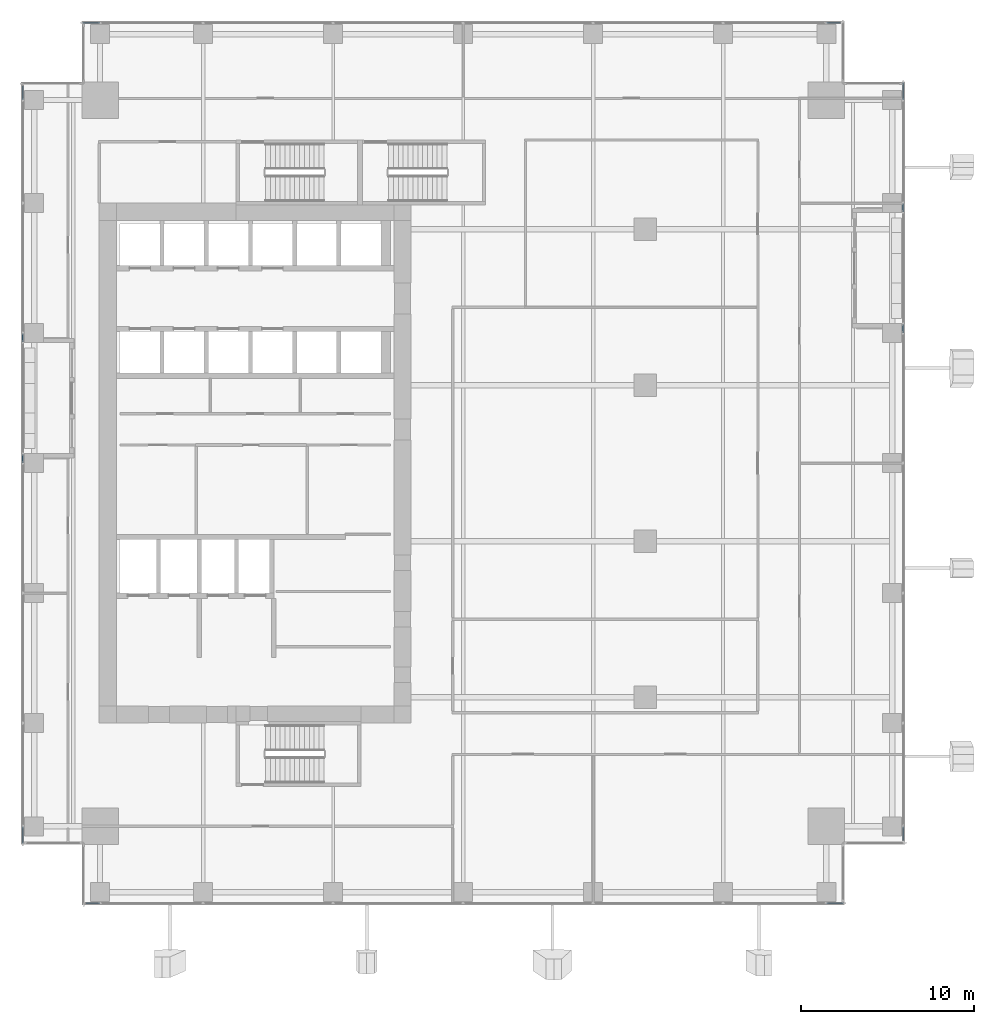
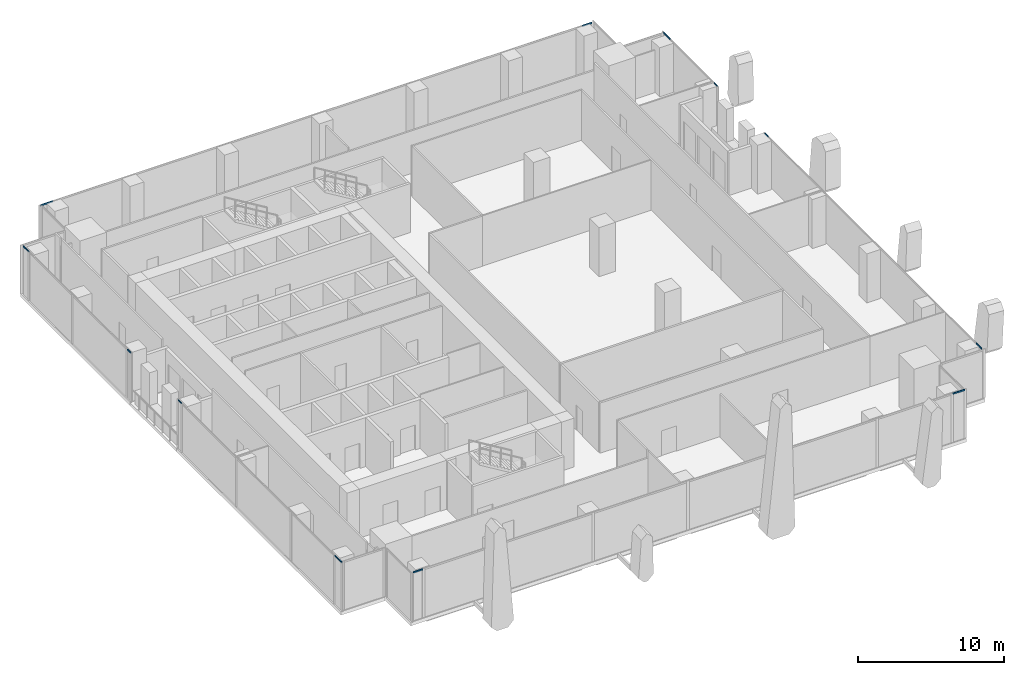
# One storey, part 22 of 35: 12 members, 6 elements without a shape of their own.
"""IFC4 building model written with IfcOpenShell, lengths in metres."""

import ifcopenshell
import ifcopenshell.guid

model = None  # the IFC model being written
_history = None  # IfcOwnerHistory: only IFC2X3 demands one
_inside = {}  # id of a spatial element -> (the spatial element, [elements in it])
_under = {}  # id of a project, library or spatial element -> (it, [spatial elements below it])
_declared = {}  # id of a project -> (the project, [libraries it declares])
_typed = {}  # id of a type object -> (the type object, [elements of that type])
_made_of = {}  # id of a material, layer set ... -> (it, [elements and type objects made of it])


def new_model(schema):
    """Start an empty IFC model of exactly this schema.

    Asked for "IFC4X3", IfcOpenShell would pick the latest addendum, in which some entities
    have other attributes; the version numbers below select the first issue.
    IFC2X3 requires an IfcOwnerHistory on every rooted entity: one is made here for all.
    """
    global model, _history
    if schema == "IFC4X3":
        model = ifcopenshell.file(schema_version=(4, 3, 0, 0))
    else:
        model = ifcopenshell.file(schema=schema)
    _inside.clear()
    _under.clear()
    _declared.clear()
    _typed.clear()
    _made_of.clear()
    _history = None
    if model.schema == "IFC2X3":
        org = make("IfcOrganization", Name="unknown")
        user = make(
            "IfcPersonAndOrganization",
            ThePerson=make("IfcPerson", FamilyName="unknown"),
            TheOrganization=org,
        )
        app = make(
            "IfcApplication",
            ApplicationDeveloper=org,
            Version="unknown",
            ApplicationFullName="unknown",
            ApplicationIdentifier="unknown",
        )
        _history = make(
            "IfcOwnerHistory",
            OwningUser=user,
            OwningApplication=app,
            ChangeAction="ADDED",
            CreationDate=0,
        )
    return model


def make(cls, **values):
    """One entity of the class cls with the attributes given. An attribute that is None is left unset."""
    return model.create_entity(
        cls, **{name: value for name, value in values.items() if value is not None}
    )


def rooted(cls, **values):
    """An entity with a GlobalId (a new one), such as an element, a storey or a relation."""
    return make(cls, GlobalId=ifcopenshell.guid.new(), OwnerHistory=_history, **values)


def si_unit(unit_type, name, prefix=None):
    """IfcSIUnit, for example si_unit("LENGTHUNIT", "METRE", prefix="MILLI")."""
    return make("IfcSIUnit", UnitType=unit_type, Prefix=prefix, Name=name)


def assignment(units):
    """IfcUnitAssignment: the units of a project."""
    return None if units is None else make("IfcUnitAssignment", Units=units)


def point(xyz):
    """IfcCartesianPoint."""
    return None if xyz is None else make("IfcCartesianPoint", Coordinates=xyz)


def direction(xyz):
    """IfcDirection."""
    return None if xyz is None else make("IfcDirection", DirectionRatios=xyz)


def frame(location, z_axis=None, x_axis=None):
    """IfcAxis2Placement3D, a coordinate frame: its origin and axes. An axis left out is left unset."""
    return make(
        "IfcAxis2Placement3D",
        Location=point(location),
        Axis=direction(z_axis),
        RefDirection=direction(x_axis),
    )


def frame_2d(location, x_axis=None):
    """IfcAxis2Placement2D, a coordinate frame in the plane: its origin and x axis."""
    return make(
        "IfcAxis2Placement2D", Location=point(location), RefDirection=direction(x_axis)
    )


def origin():
    """The frame at (0, 0, 0) with its axes left unset."""
    return frame((0.0, 0.0, 0.0))


def origin_2d():
    """The frame at (0, 0) in the plane with its x axis left unset."""
    return frame_2d((0.0, 0.0))


def place(relative_to, where):
    """IfcLocalPlacement: puts the frame where relative to a parent placement (None: the world)."""
    return make(
        "IfcLocalPlacement", PlacementRelTo=relative_to, RelativePlacement=where
    )


def context(
    kind, dimensions, precision=None, world=None, true_north=None, identifier=None
):
    """IfcGeometricRepresentationContext, for example the 3D "Model" context."""
    return make(
        "IfcGeometricRepresentationContext",
        ContextIdentifier=identifier,
        ContextType=kind,
        CoordinateSpaceDimension=dimensions,
        Precision=precision,
        WorldCoordinateSystem=world,
        TrueNorth=true_north,
    )


def subcontext(parent, identifier, kind, view, scale=None):
    """IfcGeometricRepresentationSubContext, for example "Body" below "Model"."""
    return make(
        "IfcGeometricRepresentationSubContext",
        ContextIdentifier=identifier,
        ContextType=kind,
        ParentContext=parent,
        TargetScale=scale,
        TargetView=view,
    )


def project(units=None, contexts=None):
    """IfcProject with its units and contexts."""
    return rooted(
        "IfcProject",
        Name="project",
        RepresentationContexts=contexts,
        UnitsInContext=assignment(units),
    )


def spatial(cls, under=None, at=None, **own):
    """A site, building, storey or space (cls), placed at a placement, below another one or the project."""
    s = rooted(cls, ObjectPlacement=at, **own)
    if under is not None:
        _under.setdefault(under.id(), (under, []))[1].append(s)
    return s


def profile(cls, at=None, kind="AREA", **sizes):
    """A parametric profile (cls). Its sizes go by their IFC names, for example OverallWidth=200.0."""
    return make(cls, ProfileType=kind, Position=at, **sizes)


def hollow_rectangle(**sizes):
    """IfcRectangleHollowProfileDef."""
    return profile("IfcRectangleHollowProfileDef", **sizes)


def extrude(swept, where, along, depth):
    """IfcExtrudedAreaSolid: the profile swept, set in the frame where, extruded along a direction by depth."""
    return make(
        "IfcExtrudedAreaSolid",
        SweptArea=swept,
        Position=where,
        ExtrudedDirection=direction(along),
        Depth=depth,
    )


def shape(context_of_items, identifier, shape_type, items):
    """IfcShapeRepresentation: the items that make up one representation, for example the "Body"."""
    return make(
        "IfcShapeRepresentation",
        ContextOfItems=context_of_items,
        RepresentationIdentifier=identifier,
        RepresentationType=shape_type,
        Items=items,
    )


def source(mapping_origin, context_of_items, identifier, shape_type, items):
    """IfcRepresentationMap: a shape defined once, which mapped items show again and again."""
    return make(
        "IfcRepresentationMap",
        MappingOrigin=mapping_origin,
        MappedRepresentation=shape(context_of_items, identifier, shape_type, items),
    )


def transform(
    local_origin,
    x_axis=None,
    y_axis=None,
    z_axis=None,
    scale=None,
    scale2=None,
    scale3=None,
    uniform=True,
):
    """IfcCartesianTransformationOperator3D, or its non-uniform kind. x_axis, y_axis, z_axis: its Axis1, 2, 3."""
    if uniform:
        return make(
            "IfcCartesianTransformationOperator3D",
            Axis1=direction(x_axis),
            Axis2=direction(y_axis),
            LocalOrigin=point(local_origin),
            Scale=scale,
            Axis3=direction(z_axis),
        )
    return make(
        "IfcCartesianTransformationOperator3DnonUniform",
        Axis1=direction(x_axis),
        Axis2=direction(y_axis),
        LocalOrigin=point(local_origin),
        Scale=scale,
        Axis3=direction(z_axis),
        Scale2=scale2,
        Scale3=scale3,
    )


def mapped(mapping_source, mapping_target):
    """IfcMappedItem: shows the shape of a source again, moved by a transform."""
    return make(
        "IfcMappedItem", MappingSource=mapping_source, MappingTarget=mapping_target
    )


def material(Name=None, Category=None):
    """IfcMaterial."""
    return make("IfcMaterial", Name=Name, Category=Category)


def material_profile(
    of_material, cross_section, Name=None, Category=None, Priority=None
):
    """IfcMaterialProfile: a cross section and its material."""
    return make(
        "IfcMaterialProfile",
        Name=Name,
        Material=of_material,
        Profile=cross_section,
        Priority=Priority,
        Category=Category,
    )


def profile_set(profiles, Name=None, composite=None):
    """IfcMaterialProfileSet."""
    return make(
        "IfcMaterialProfileSet",
        Name=Name,
        MaterialProfiles=profiles,
        CompositeProfile=composite,
    )


def made_of(thing, what):
    """Note that an element or type object is made of a material, layer set ...; save() writes the relation."""
    if what is not None:
        _made_of.setdefault(what.id(), (what, []))[1].append(thing)
    return thing


def type_object(cls, material=None, **own):
    """A type object (cls), such as IfcWallType, which elements share."""
    return made_of(rooted(cls, **own), material)


def element(
    cls,
    number,
    at=None,
    inside=None,
    cuts=None,
    type_object=None,
    material=None,
    context=None,
    identifier="Body",
    shape_type=None,
    held_by="IfcProductDefinitionShape",
    body=None,
    shapes=None,
    **own,
):
    """One element of the class cls, such as IfcWall. Its Tag is "e" and its number.

    at: its placement. inside: the storey or other place that contains it. cuts: it is an
    opening in that element (IfcRelVoidsElement). A single representation is given by context,
    identifier, shape_type and body (its items); several are given by shapes. held_by: the class
    of the entity that holds the representations. save() writes the other relations.
    """
    e = rooted(cls, Tag="e%d" % number, ObjectPlacement=at, **own)
    if body is not None:
        shapes = [shape(context, identifier, shape_type, body)]
    if shapes is not None:
        e.Representation = make(held_by, Representations=shapes)
    if inside is not None:
        _inside.setdefault(inside.id(), (inside, []))[1].append(e)
    if cuts is not None:
        rooted(
            "IfcRelVoidsElement", RelatingBuildingElement=cuts, RelatedOpeningElement=e
        )
    if type_object is not None:
        _typed.setdefault(type_object.id(), (type_object, []))[1].append(e)
    return made_of(e, material)


def aggregate(whole, parts):
    """IfcRelAggregates: a whole, such as a stair, and the parts it consists of."""
    return rooted("IfcRelAggregates", RelatingObject=whole, RelatedObjects=parts)


def save(model, path):
    """Write the relations noted so far, then the file.

    IfcRelAggregates (storeys below a building ...), IfcRelContainedInSpatialStructure (elements
    in a storey), IfcRelDefinesByType, IfcRelAssociatesMaterial and IfcRelDeclares: one each for
    every whole, place, type object, material and project.
    """
    for whole, parts in _under.values():
        aggregate(whole, parts)
    for where, things in _inside.values():
        rooted(
            "IfcRelContainedInSpatialStructure",
            RelatedElements=things,
            RelatingStructure=where,
        )
    for kind, things in _typed.values():
        rooted("IfcRelDefinesByType", RelatedObjects=things, RelatingType=kind)
    for what, things in _made_of.values():
        rooted("IfcRelAssociatesMaterial", RelatedObjects=things, RelatingMaterial=what)
    for by, libraries in _declared.values():
        rooted("IfcRelDeclares", RelatingContext=by, RelatedDefinitions=libraries)
    model.write(path)


model = new_model("IFC4")

# Units and contexts
model_context = context("Model", 3, precision=1e-05, world=origin(), true_north=direction((0.0, 1.0)))
body_context = subcontext(model_context, "Body", "Model", "MODEL_VIEW")
ifc_project = project(units=[si_unit("LENGTHUNIT", "METRE"), si_unit("AREAUNIT", "SQUARE_METRE"), si_unit("VOLUMEUNIT", "CUBIC_METRE"), si_unit("PLANEANGLEUNIT", "RADIAN"), si_unit("MASSUNIT", "GRAM", prefix="KILO")], contexts=[model_context])

# Site, building, storey
site_placement = place(None, origin())
site = spatial("IfcSite", under=ifc_project, at=site_placement, CompositionType="ELEMENT")
building_placement = place(site_placement, origin())
building = spatial("IfcBuilding", under=site, at=building_placement, Name="Khomas Fold Tower", CompositionType="ELEMENT")
storey_placement = place(building_placement, frame((0.0, 0.0, 136.699951171875)))
storey = spatial("IfcBuildingStorey", under=building, at=storey_placement, Name="L29", CompositionType="ELEMENT", Elevation=136.699951171875)

# Curtain wall, member
ifc_material_1 = material(Name="Aluminium framed double glazing", Category="aluminium")
curtain_wall_type = type_object("IfcCurtainWallType", Name="SK-Unitised clear-glass wall, growing floors CW1", PredefinedType="NOTDEFINED", material=ifc_material_1)
curtain_wall_1_placement = place(storey_placement, origin())
curtain_wall_1 = element("IfcCurtainWall", 1, at=curtain_wall_1_placement, inside=storey, type_object=curtain_wall_type, Name="CW1 run L29 00-0", PredefinedType="NOTDEFINED")
ifc_material_2 = material(Name="Aluminium", Category="aluminium")
ifc_material_profile = material_profile(ifc_material_2, hollow_rectangle(XDim=0.06005859375, YDim=0.1201171875, WallThickness=0.00390625, at=origin_2d()), Name="SK-Unitised clear-glass wall, growing floors transom CW1-T")
ifc_profile_set = profile_set([ifc_material_profile], Name="Aluminium")
member_type = type_object("IfcMemberType", Name="SK-Unitised clear-glass wall, growing floors transom CW1-T", PredefinedType="USERDEFINED", material=ifc_profile_set)
shared_shape_1 = source(origin(), body_context, "Body", "SweptSolid", [
    extrude(hollow_rectangle(XDim=0.06005859375, YDim=0.1201171875, WallThickness=0.00390625, at=origin_2d()), origin(), (0.0, 0.0, 1.0), 0.760009765625),
])
member_1_placement = place(storey_placement, frame((5.260009765625, 1.60009765625, 4.0400390625), z_axis=(1.0, 0.0, 0.0), x_axis=(0.0, 1.0, 0.0)))
member_1 = element("IfcMember", 2, at=member_1_placement, type_object=member_type, Name="CW1 transom 1", ObjectType="TRANSOM", PredefinedType="USERDEFINED", context=body_context, shape_type="MappedRepresentation", body=[
    mapped(shared_shape_1, transform((0.0, 0.0, 0.0))),
])

curtain_wall_2_placement = place(storey_placement, origin())
curtain_wall_2 = element("IfcCurtainWall", 3, at=curtain_wall_2_placement, inside=storey, type_object=curtain_wall_type, Name="CW1 run L29 03-0", PredefinedType="NOTDEFINED")
member_2_placement = place(storey_placement, frame((52.39990234375, 5.260009765625, 4.0400390625), z_axis=(0.0, 1.0, 0.0), x_axis=(-1.0, 0.0, 0.0)))
member_2 = element("IfcMember", 4, at=member_2_placement, type_object=member_type, Name="CW1 transom 1", ObjectType="TRANSOM", PredefinedType="USERDEFINED", context=body_context, shape_type="MappedRepresentation", body=[
    mapped(shared_shape_1, transform((0.0, 0.0, 0.0))),
])

curtain_wall_3_placement = place(storey_placement, origin())
curtain_wall_3 = element("IfcCurtainWall", 5, at=curtain_wall_3_placement, inside=storey, type_object=curtain_wall_type, Name="CW1 run L29 06-0", PredefinedType="NOTDEFINED")
member_3_placement = place(storey_placement, frame((48.739990234375, 52.39990234375, 4.0400390625), z_axis=(-1.0, 0.0, 0.0), x_axis=(0.0, -1.0, 0.0)))
member_3 = element("IfcMember", 6, at=member_3_placement, type_object=member_type, Name="CW1 transom 1", ObjectType="TRANSOM", PredefinedType="USERDEFINED", context=body_context, shape_type="MappedRepresentation", body=[
    mapped(shared_shape_1, transform((0.0, 0.0, 0.0))),
])

curtain_wall_4_placement = place(storey_placement, origin())
curtain_wall_4 = element("IfcCurtainWall", 7, at=curtain_wall_4_placement, inside=storey, type_object=curtain_wall_type, Name="CW1 run L29 09-0", PredefinedType="NOTDEFINED")
member_4_placement = place(storey_placement, frame((1.60009765625, 48.739990234375, 4.0400390625), z_axis=(0.0, -1.0, 0.0), x_axis=(1.0, 0.0, 0.0)))
member_4 = element("IfcMember", 8, at=member_4_placement, type_object=member_type, Name="CW1 transom 1", ObjectType="TRANSOM", PredefinedType="USERDEFINED", context=body_context, shape_type="MappedRepresentation", body=[
    mapped(shared_shape_1, transform((0.0, 0.0, 0.0))),
])

# Member
shared_shape_2 = source(origin(), body_context, "Body", "SweptSolid", [
    extrude(hollow_rectangle(XDim=0.06005859375, YDim=0.1201171875, WallThickness=0.00390625, at=origin_2d()), origin(), (0.0, 0.0, 1.0), 0.9599609375),
])
member_5_placement = place(storey_placement, frame((47.97998046875, 1.60009765625, 4.0400390625), z_axis=(1.0, 0.0, 0.0), x_axis=(0.0, 1.0, 0.0)))
member_5 = element("IfcMember", 9, at=member_5_placement, type_object=member_type, Name="CW1 transom 8", ObjectType="TRANSOM", PredefinedType="USERDEFINED", context=body_context, shape_type="MappedRepresentation", body=[
    mapped(shared_shape_2, transform((0.0, 0.0, 0.0))),
])

aggregate(curtain_wall_1, [member_1, member_5])

# Curtain wall, member
curtain_wall_5_placement = place(storey_placement, origin())
curtain_wall_5 = element("IfcCurtainWall", 10, at=curtain_wall_5_placement, inside=storey, type_object=curtain_wall_type, Name="CW1 run L29 03-1", PredefinedType="NOTDEFINED")
member_6_placement = place(storey_placement, frame((52.39990234375, 47.97998046875, 4.0400390625), z_axis=(0.0, 1.0, 0.0), x_axis=(-1.0, 0.0, 0.0)))
member_6 = element("IfcMember", 11, at=member_6_placement, type_object=member_type, Name="CW1 transom 3", ObjectType="TRANSOM", PredefinedType="USERDEFINED", context=body_context, shape_type="MappedRepresentation", body=[
    mapped(shared_shape_2, transform((0.0, 0.0, 0.0))),
])

# Member
member_7_placement = place(storey_placement, frame((6.02001953125, 52.39990234375, 4.0400390625), z_axis=(-1.0, 0.0, 0.0), x_axis=(0.0, -1.0, 0.0)))
member_7 = element("IfcMember", 12, at=member_7_placement, type_object=member_type, Name="CW1 transom 8", ObjectType="TRANSOM", PredefinedType="USERDEFINED", context=body_context, shape_type="MappedRepresentation", body=[
    mapped(shared_shape_2, transform((0.0, 0.0, 0.0))),
])

aggregate(curtain_wall_3, [member_3, member_7])

# Curtain wall, member
curtain_wall_6_placement = place(storey_placement, origin())
curtain_wall_6 = element("IfcCurtainWall", 13, at=curtain_wall_6_placement, inside=storey, type_object=curtain_wall_type, Name="CW1 run L29 09-1", PredefinedType="NOTDEFINED")
member_8_placement = place(storey_placement, frame((1.60009765625, 6.02001953125, 4.0400390625), z_axis=(0.0, -1.0, 0.0), x_axis=(1.0, 0.0, 0.0)))
member_8 = element("IfcMember", 14, at=member_8_placement, type_object=member_type, Name="CW1 transom 5", ObjectType="TRANSOM", PredefinedType="USERDEFINED", context=body_context, shape_type="MappedRepresentation", body=[
    mapped(shared_shape_2, transform((0.0, 0.0, 0.0))),
])

# Member
shared_shape_3 = source(origin(), body_context, "Body", "SweptSolid", [
    extrude(hollow_rectangle(XDim=0.06005859375, YDim=0.1201171875, WallThickness=0.00390625, at=origin_2d()), origin(), (0.0, 0.0, 1.0), 0.4599609375),
])
member_9_placement = place(storey_placement, frame((52.39990234375, 34.530029296875, 4.0400390625), z_axis=(0.0, 1.0, 0.0), x_axis=(-1.0, 0.0, 0.0)))
member_9 = element("IfcMember", 15, at=member_9_placement, type_object=member_type, Name="CW1 transom 6", ObjectType="TRANSOM", PredefinedType="USERDEFINED", context=body_context, shape_type="MappedRepresentation", body=[
    mapped(shared_shape_3, transform((0.0, 0.0, 0.0))),
])

aggregate(curtain_wall_2, [member_2, member_9])

member_10_placement = place(storey_placement, frame((52.39990234375, 41.510009765625, 4.0400390625), z_axis=(0.0, 1.0, 0.0), x_axis=(-1.0, 0.0, 0.0)))
member_10 = element("IfcMember", 16, at=member_10_placement, type_object=member_type, Name="CW1 transom 1", ObjectType="TRANSOM", PredefinedType="USERDEFINED", context=body_context, shape_type="MappedRepresentation", body=[
    mapped(shared_shape_3, transform((0.0, 0.0, 0.0))),
])

aggregate(curtain_wall_5, [member_10, member_6])

member_11_placement = place(storey_placement, frame((1.60009765625, 34.469970703125, 4.0400390625), z_axis=(0.0, -1.0, 0.0), x_axis=(1.0, 0.0, 0.0)))
member_11 = element("IfcMember", 17, at=member_11_placement, type_object=member_type, Name="CW1 transom 4", ObjectType="TRANSOM", PredefinedType="USERDEFINED", context=body_context, shape_type="MappedRepresentation", body=[
    mapped(shared_shape_3, transform((0.0, 0.0, 0.0))),
])

aggregate(curtain_wall_4, [member_4, member_11])

member_12_placement = place(storey_placement, frame((1.60009765625, 27.489990234375, 4.0400390625), z_axis=(0.0, -1.0, 0.0), x_axis=(1.0, 0.0, 0.0)))
member_12 = element("IfcMember", 18, at=member_12_placement, type_object=member_type, Name="CW1 transom 1", ObjectType="TRANSOM", PredefinedType="USERDEFINED", context=body_context, shape_type="MappedRepresentation", body=[
    mapped(shared_shape_3, transform((0.0, 0.0, 0.0))),
])

aggregate(curtain_wall_6, [member_12, member_8])

save(model, "model.ifc")
